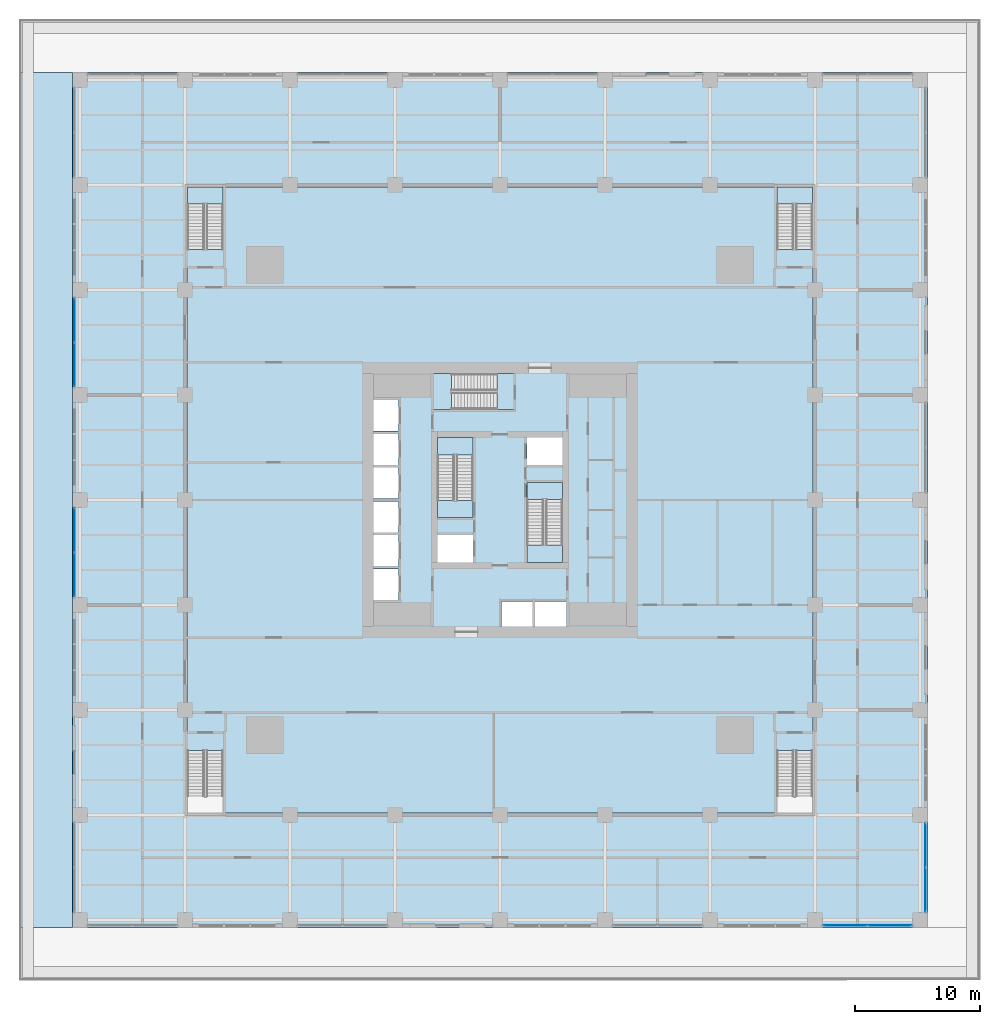
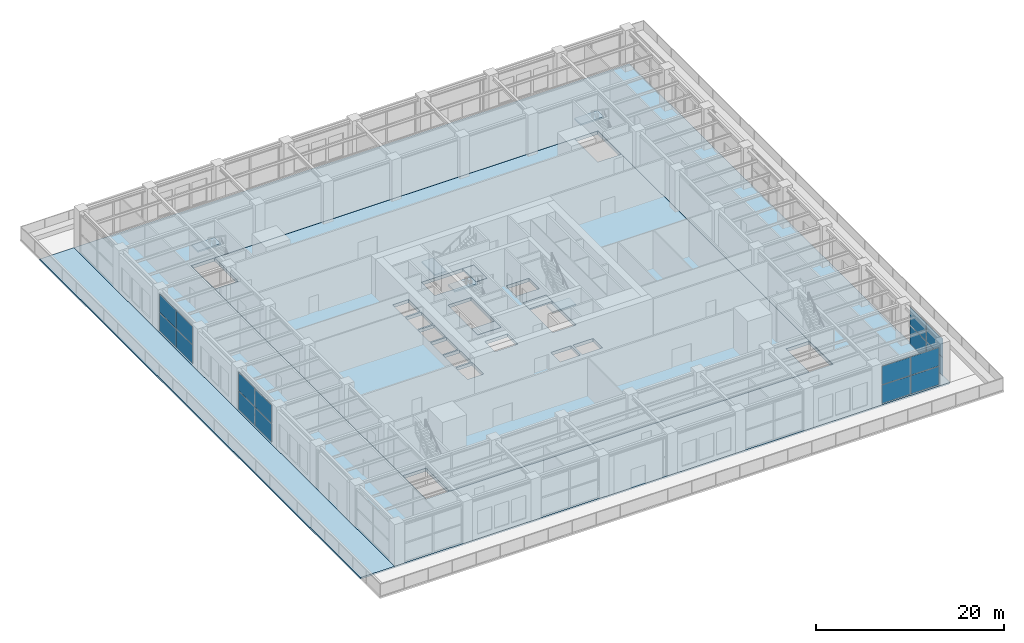
# One storey, part 16 of 36: 16 plates, 11 slabs, 9 elements without a shape of their own.
"""IFC4 building model written with IfcOpenShell, lengths in metres."""

from ifc_helpers import new_model, si_unit, direction, frame, origin, origin_2d, place, context, subcontext, project, spatial, polyline, rectangle, outline, extrude, material, layer, layer_set, type_object, element, aggregate, save


model = new_model("IFC4")

# Units and contexts
model_context = context("Model", 3, precision=1e-05, world=origin(), true_north=direction((0.0, 1.0)))
body_context = subcontext(model_context, "Body", "Model", "MODEL_VIEW")
ifc_project = project(units=[si_unit("LENGTHUNIT", "METRE"), si_unit("AREAUNIT", "SQUARE_METRE"), si_unit("VOLUMEUNIT", "CUBIC_METRE"), si_unit("PLANEANGLEUNIT", "RADIAN"), si_unit("MASSUNIT", "GRAM", prefix="KILO")], contexts=[model_context])

# Site, building, storey
site_placement = place(None, origin())
site = spatial("IfcSite", under=ifc_project, at=site_placement, CompositionType="ELEMENT")
building_placement = place(site_placement, origin())
building = spatial("IfcBuilding", under=site, at=building_placement, Name="Khepri Terraces", CompositionType="ELEMENT")
storey_placement = place(building_placement, frame((0.0, 0.0, 16.800048828125)))
storey = spatial("IfcBuildingStorey", under=building, at=storey_placement, Name="L03", CompositionType="ELEMENT", Elevation=16.800048828125)

# Curtain wall, plates
ifc_material_1 = material(Name="Anodised aluminium bronze curtain wall", Category="aluminium")
curtain_wall_type = type_object("IfcCurtainWallType", Name="CW-SYS5-BALLROOM", PredefinedType="NOTDEFINED", material=ifc_material_1)
curtain_wall_1_placement = place(storey_placement, origin())
curtain_wall_1 = element("IfcCurtainWall", 1, at=curtain_wall_1_placement, inside=storey, type_object=curtain_wall_type, Name="Curtain wall CW5 L03 S", PredefinedType="NOTDEFINED")
ifc_material_2 = material(Name="Clear glass", Category="glass")
ifc_layer_1 = layer(ifc_material_2, 0.035888671875, Name="Clear glass", Category="glass")
ifc_layer_set_1 = layer_set([ifc_layer_1], Name="Clear glass")
plate_type = type_object("IfcPlateType", Name="CW-PANEL-VISION-36", PredefinedType="CURTAIN_PANEL", material=ifc_layer_set_1)
plate_1_placement = place(storey_placement, frame((27.6201171875, -34.050048828125, 0.079833984375), z_axis=(0.0, 0.0, 1.0), x_axis=(1.0, 0.0, 0.0)))
plate_1 = element("IfcPlate", 2, at=plate_1_placement, type_object=plate_type, Name="CW5 panel 1.1", PredefinedType="CURTAIN_PANEL", context=body_context, shape_type="SweptSolid", body=[
    extrude(rectangle(XDim=3.47998046875, YDim=0.035888671875, at=origin_2d()), origin(), (0.0, 0.0, 1.0), 2.3701171875),
])
plate_2_placement = place(storey_placement, frame((27.6201171875, -34.050048828125, 2.52978515625), z_axis=(0.0, 0.0, 1.0), x_axis=(1.0, 0.0, 0.0)))
plate_2 = element("IfcPlate", 3, at=plate_2_placement, type_object=plate_type, Name="CW5 panel 1.2", PredefinedType="CURTAIN_PANEL", context=body_context, shape_type="SweptSolid", body=[
    extrude(rectangle(XDim=3.47998046875, YDim=0.035888671875, at=origin_2d()), origin(), (0.0, 0.0, 1.0), 2.3701171875),
])
plate_3_placement = place(storey_placement, frame((31.179931640625, -34.050048828125, 0.079833984375), z_axis=(0.0, 0.0, 1.0), x_axis=(1.0, 0.0, 0.0)))
plate_3 = element("IfcPlate", 4, at=plate_3_placement, type_object=plate_type, Name="CW5 panel 2.1", PredefinedType="CURTAIN_PANEL", context=body_context, shape_type="SweptSolid", body=[
    extrude(rectangle(XDim=3.47998046875, YDim=0.035888671875, at=origin_2d()), origin(), (0.0, 0.0, 1.0), 2.3701171875),
])
plate_4_placement = place(storey_placement, frame((31.179931640625, -34.050048828125, 2.52978515625), z_axis=(0.0, 0.0, 1.0), x_axis=(1.0, 0.0, 0.0)))
plate_4 = element("IfcPlate", 5, at=plate_4_placement, type_object=plate_type, Name="CW5 panel 2.2", PredefinedType="CURTAIN_PANEL", context=body_context, shape_type="SweptSolid", body=[
    extrude(rectangle(XDim=3.47998046875, YDim=0.035888671875, at=origin_2d()), origin(), (0.0, 0.0, 1.0), 2.3701171875),
])
aggregate(curtain_wall_1, [plate_1, plate_2, plate_3, plate_4])

curtain_wall_2_placement = place(storey_placement, origin())
curtain_wall_2 = element("IfcCurtainWall", 6, at=curtain_wall_2_placement, inside=storey, type_object=curtain_wall_type, Name="Curtain wall CW5 L03 E", PredefinedType="NOTDEFINED")
plate_5_placement = place(storey_placement, frame((34.050048828125, -31.179931640625, 0.079833984375), z_axis=(0.0, 0.0, 1.0), x_axis=(0.0, 1.0, 0.0)))
plate_5 = element("IfcPlate", 7, at=plate_5_placement, type_object=plate_type, Name="CW5 panel 1.1", PredefinedType="CURTAIN_PANEL", context=body_context, shape_type="SweptSolid", body=[
    extrude(rectangle(XDim=3.47998046875, YDim=0.035888671875, at=origin_2d()), origin(), (0.0, 0.0, 1.0), 2.3701171875),
])
plate_6_placement = place(storey_placement, frame((34.050048828125, -31.179931640625, 2.52978515625), z_axis=(0.0, 0.0, 1.0), x_axis=(0.0, 1.0, 0.0)))
plate_6 = element("IfcPlate", 8, at=plate_6_placement, type_object=plate_type, Name="CW5 panel 1.2", PredefinedType="CURTAIN_PANEL", context=body_context, shape_type="SweptSolid", body=[
    extrude(rectangle(XDim=3.47998046875, YDim=0.035888671875, at=origin_2d()), origin(), (0.0, 0.0, 1.0), 2.3701171875),
])
plate_7_placement = place(storey_placement, frame((34.050048828125, -27.6201171875, 0.079833984375), z_axis=(0.0, 0.0, 1.0), x_axis=(0.0, 1.0, 0.0)))
plate_7 = element("IfcPlate", 9, at=plate_7_placement, type_object=plate_type, Name="CW5 panel 2.1", PredefinedType="CURTAIN_PANEL", context=body_context, shape_type="SweptSolid", body=[
    extrude(rectangle(XDim=3.47998046875, YDim=0.035888671875, at=origin_2d()), origin(), (0.0, 0.0, 1.0), 2.3701171875),
])
plate_8_placement = place(storey_placement, frame((34.050048828125, -27.6201171875, 2.52978515625), z_axis=(0.0, 0.0, 1.0), x_axis=(0.0, 1.0, 0.0)))
plate_8 = element("IfcPlate", 10, at=plate_8_placement, type_object=plate_type, Name="CW5 panel 2.2", PredefinedType="CURTAIN_PANEL", context=body_context, shape_type="SweptSolid", body=[
    extrude(rectangle(XDim=3.47998046875, YDim=0.035888671875, at=origin_2d()), origin(), (0.0, 0.0, 1.0), 2.3701171875),
])
aggregate(curtain_wall_2, [plate_5, plate_6, plate_7, plate_8])

curtain_wall_3_placement = place(storey_placement, origin())
curtain_wall_3 = element("IfcCurtainWall", 11, at=curtain_wall_3_placement, inside=storey, type_object=curtain_wall_type, Name="Curtain wall CW5 L03 W", PredefinedType="NOTDEFINED")
plate_9_placement = place(storey_placement, frame((-34.050048828125, 14.3798828125, 0.079833984375), z_axis=(0.0, 0.0, 1.0), x_axis=(0.0, -1.0, 0.0)))
plate_9 = element("IfcPlate", 12, at=plate_9_placement, type_object=plate_type, Name="CW5 panel 1.1", PredefinedType="CURTAIN_PANEL", context=body_context, shape_type="SweptSolid", body=[
    extrude(rectangle(XDim=3.47998046875, YDim=0.035888671875, at=origin_2d()), origin(), (0.0, 0.0, 1.0), 2.3701171875),
])
plate_10_placement = place(storey_placement, frame((-34.050048828125, 14.3798828125, 2.52978515625), z_axis=(0.0, 0.0, 1.0), x_axis=(0.0, -1.0, 0.0)))
plate_10 = element("IfcPlate", 13, at=plate_10_placement, type_object=plate_type, Name="CW5 panel 1.2", PredefinedType="CURTAIN_PANEL", context=body_context, shape_type="SweptSolid", body=[
    extrude(rectangle(XDim=3.47998046875, YDim=0.035888671875, at=origin_2d()), origin(), (0.0, 0.0, 1.0), 2.3701171875),
])
plate_11_placement = place(storey_placement, frame((-34.050048828125, 10.820068359375, 0.079833984375), z_axis=(0.0, 0.0, 1.0), x_axis=(0.0, -1.0, 0.0)))
plate_11 = element("IfcPlate", 14, at=plate_11_placement, type_object=plate_type, Name="CW5 panel 2.1", PredefinedType="CURTAIN_PANEL", context=body_context, shape_type="SweptSolid", body=[
    extrude(rectangle(XDim=3.47998046875, YDim=0.035888671875, at=origin_2d()), origin(), (0.0, 0.0, 1.0), 2.3701171875),
])
plate_12_placement = place(storey_placement, frame((-34.050048828125, 10.820068359375, 2.52978515625), z_axis=(0.0, 0.0, 1.0), x_axis=(0.0, -1.0, 0.0)))
plate_12 = element("IfcPlate", 15, at=plate_12_placement, type_object=plate_type, Name="CW5 panel 2.2", PredefinedType="CURTAIN_PANEL", context=body_context, shape_type="SweptSolid", body=[
    extrude(rectangle(XDim=3.47998046875, YDim=0.035888671875, at=origin_2d()), origin(), (0.0, 0.0, 1.0), 2.3701171875),
])
aggregate(curtain_wall_3, [plate_9, plate_10, plate_11, plate_12])

curtain_wall_4_placement = place(storey_placement, origin())
curtain_wall_4 = element("IfcCurtainWall", 16, at=curtain_wall_4_placement, inside=storey, type_object=curtain_wall_type, Name="Curtain wall CW5 L03 W", PredefinedType="NOTDEFINED")
plate_13_placement = place(storey_placement, frame((-34.050048828125, -2.419921875, 0.079833984375), z_axis=(0.0, 0.0, 1.0), x_axis=(0.0, -1.0, 0.0)))
plate_13 = element("IfcPlate", 17, at=plate_13_placement, type_object=plate_type, Name="CW5 panel 1.1", PredefinedType="CURTAIN_PANEL", context=body_context, shape_type="SweptSolid", body=[
    extrude(rectangle(XDim=3.47998046875, YDim=0.035888671875, at=origin_2d()), origin(), (0.0, 0.0, 1.0), 2.3701171875),
])
plate_14_placement = place(storey_placement, frame((-34.050048828125, -2.419921875, 2.52978515625), z_axis=(0.0, 0.0, 1.0), x_axis=(0.0, -1.0, 0.0)))
plate_14 = element("IfcPlate", 18, at=plate_14_placement, type_object=plate_type, Name="CW5 panel 1.2", PredefinedType="CURTAIN_PANEL", context=body_context, shape_type="SweptSolid", body=[
    extrude(rectangle(XDim=3.47998046875, YDim=0.035888671875, at=origin_2d()), origin(), (0.0, 0.0, 1.0), 2.3701171875),
])
plate_15_placement = place(storey_placement, frame((-34.050048828125, -5.97998046875, 0.079833984375), z_axis=(0.0, 0.0, 1.0), x_axis=(0.0, -1.0, 0.0)))
plate_15 = element("IfcPlate", 19, at=plate_15_placement, type_object=plate_type, Name="CW5 panel 2.1", PredefinedType="CURTAIN_PANEL", context=body_context, shape_type="SweptSolid", body=[
    extrude(rectangle(XDim=3.47998046875, YDim=0.035888671875, at=origin_2d()), origin(), (0.0, 0.0, 1.0), 2.3701171875),
])
plate_16_placement = place(storey_placement, frame((-34.050048828125, -5.97998046875, 2.52978515625), z_axis=(0.0, 0.0, 1.0), x_axis=(0.0, -1.0, 0.0)))
plate_16 = element("IfcPlate", 20, at=plate_16_placement, type_object=plate_type, Name="CW5 panel 2.2", PredefinedType="CURTAIN_PANEL", context=body_context, shape_type="SweptSolid", body=[
    extrude(rectangle(XDim=3.47998046875, YDim=0.035888671875, at=origin_2d()), origin(), (0.0, 0.0, 1.0), 2.3701171875),
])
aggregate(curtain_wall_4, [plate_13, plate_14, plate_15, plate_16])

# Slabs
ifc_material_3 = material(Name="Concrete C35/45", Category="concrete")
ifc_layer_2 = layer(ifc_material_3, 0.199951171875, Name="Concrete C35/45", Category="concrete")
ifc_layer_set_2 = layer_set([ifc_layer_2], Name="Concrete C35/45")
slab_type_1 = type_object("IfcSlabType", Name="Composite floor slab 200", PredefinedType="FLOOR", material=ifc_layer_set_2)
slab_1_placement = place(storey_placement, frame((0.0, 0.0, -0.199951171875)))
element("IfcSlab", 21, at=slab_1_placement, inside=storey, type_object=slab_type_1, Name="Floor slab C01 L03", PredefinedType="FLOOR", context=body_context, shape_type="SweptSolid", body=[
    extrude(outline(polyline([(-34.199951171875, -34.199951171875), (-34.199951171875, 34.199951171875), (34.199951171875, 34.199951171875), (34.199951171875, -34.199951171875), (-34.199951171875, -34.199951171875)]), holes=[polyline([(25.050048828125, 25.050048828125), (-25.050048828125, 25.050048828125), (-25.050048828125, -25.050048828125), (25.050048828125, -25.050048828125), (25.050048828125, 25.050048828125)])]), origin(), (0.0, 0.0, 1.0), 0.199951171875),
])
ifc_layer_3 = layer(ifc_material_3, 0.199951171875, Name="Concrete C35/45", Category="concrete")
ifc_layer_set_3 = layer_set([ifc_layer_3], Name="Concrete C35/45")
slab_type_2 = type_object("IfcSlabType", Name="Composite terrace slab 200", PredefinedType="ROOF", material=ifc_layer_set_3)
slab_2_placement = place(storey_placement, frame((0.0, 0.0, -0.199951171875)))
element("IfcSlab", 22, at=slab_2_placement, inside=storey, type_object=slab_type_2, Name="Terrace slab L03-podium-3", PredefinedType="ROOF", context=body_context, shape_type="SweptSolid", body=[
    extrude(outline(polyline([(-38.39990234375, 34.199951171875), (-34.199951171875, 34.199951171875), (-34.199951171875, -34.199951171875), (-38.39990234375, -34.199951171875), (-38.39990234375, 34.199951171875)])), origin(), (0.0, 0.0, 1.0), 0.199951171875),
])
ifc_material_4 = material(Name="Concrete C40/50", Category="concrete")
ifc_layer_4 = layer(ifc_material_4, 0.419921875, Name="Concrete C40/50", Category="concrete")
ifc_layer_set_4 = layer_set([ifc_layer_4], Name="Concrete C40/50")
slab_type_3 = type_object("IfcSlabType", Name="Flat plate 420", PredefinedType="FLOOR", material=ifc_layer_set_4)
slab_3_placement = place(storey_placement, frame((0.0, 0.0, -0.420166015625)))
element("IfcSlab", 23, at=slab_3_placement, inside=storey, type_object=slab_type_3, Name="Floor slab F01 L03", PredefinedType="FLOOR", context=body_context, shape_type="SweptSolid", body=[
    extrude(outline(polyline([(-25.050048828125, 25.050048828125), (25.050048828125, 25.050048828125), (25.050048828125, -25.050048828125), (-25.050048828125, -25.050048828125), (-25.050048828125, 25.050048828125)]), holes=[polyline([(5.0, 5.0), (2.14990234375, 5.0), (2.14990234375, 2.800048828125), (5.0, 2.800048828125), (5.0, 5.0)]), polyline([(-2.14990234375, -5.0), (-2.14990234375, -2.800048828125), (-5.0, -2.800048828125), (-5.0, -5.0), (-2.14990234375, -5.0)]), polyline([(-10.10009765625, -8.0), (-8.10009765625, -8.0), (-8.10009765625, -5.5), (-10.10009765625, -5.5), (-10.10009765625, -8.0)]), polyline([(-10.10009765625, -2.800048828125), (-10.10009765625, -5.300048828125), (-8.10009765625, -5.300048828125), (-8.10009765625, -2.800048828125), (-10.10009765625, -2.800048828125)]), polyline([(-8.10009765625, -0.10009765625), (-10.10009765625, -0.10009765625), (-10.10009765625, -2.60009765625), (-8.10009765625, -2.60009765625), (-8.10009765625, -0.10009765625)]), polyline([(-8.10009765625, 0.10009765625), (-8.10009765625, 2.60009765625), (-10.10009765625, 2.60009765625), (-10.10009765625, 0.10009765625), (-8.10009765625, 0.10009765625)]), polyline([(-10.10009765625, 2.800048828125), (-8.10009765625, 2.800048828125), (-8.10009765625, 5.300048828125), (-10.10009765625, 5.300048828125), (-10.10009765625, 2.800048828125)]), polyline([(-10.10009765625, 8.0), (-10.10009765625, 5.5), (-8.10009765625, 5.5), (-8.10009765625, 8.0), (-10.10009765625, 8.0)]), polyline([(2.60009765625, -8.10009765625), (0.10009765625, -8.10009765625), (0.10009765625, -10.10009765625), (2.60009765625, -10.10009765625), (2.60009765625, -8.10009765625)]), polyline([(5.300048828125, -10.10009765625), (5.300048828125, -8.10009765625), (2.800048828125, -8.10009765625), (2.800048828125, -10.10009765625), (5.300048828125, -10.10009765625)]), polyline([(-5.0, -1.39990234375), (-2.14990234375, -1.39990234375), (-2.14990234375, 5.0), (-5.0, 5.0), (-5.0, -1.39990234375)]), polyline([(5.0, -5.0), (5.0, 1.39990234375), (2.14990234375, 1.39990234375), (2.14990234375, -5.0), (5.0, -5.0)]), polyline([(-5.300048828125, 10.10009765625), (-5.300048828125, 7.25), (1.10009765625, 7.25), (1.10009765625, 10.10009765625), (-5.300048828125, 10.10009765625)]), polyline([(22.14990234375, 25.0400390625), (22.14990234375, 20.050537109375), (25.0, 20.050537109375), (25.0, 25.0400390625), (22.14990234375, 25.0400390625)]), polyline([(-22.14990234375, 25.0400390625), (-25.0, 25.0400390625), (-25.0, 20.050537109375), (-22.14990234375, 20.050537109375), (-22.14990234375, 25.0400390625)]), polyline([(22.14990234375, -20.050537109375), (22.14990234375, -25.0400390625), (25.0, -25.0400390625), (25.0, -20.050537109375), (22.14990234375, -20.050537109375)]), polyline([(-22.14990234375, -20.050537109375), (-25.0, -20.050537109375), (-25.0, -25.0400390625), (-22.14990234375, -25.0400390625), (-22.14990234375, -20.050537109375)])]), origin(), (0.0, 0.0, 1.0), 0.420166015625),
])

# Stair, slab
stair_type_1 = type_object("IfcStairType", Name="ST-POD", PredefinedType="HALF_TURN_STAIR", material=ifc_material_4)
stair_1_placement = place(storey_placement, origin())
stair_1 = element("IfcStair", 24, at=stair_1_placement, inside=storey, type_object=stair_type_1, Name="L03 Exit Stair PS-1", PredefinedType="HALF_TURN_STAIR")
ifc_layer_5 = layer(ifc_material_4, 0.199951171875, Name="Concrete C40/50", Category="concrete")
ifc_layer_set_5 = layer_set([ifc_layer_5], Name="Concrete C40/50")
slab_type_4 = type_object("IfcSlabType", Name="SL-POD", PredefinedType="LANDING", material=ifc_layer_set_5)
slab_4_placement = place(storey_placement, frame((0.0, 0.0, 2.5)))
slab_4 = element("IfcSlab", 25, at=slab_4_placement, type_object=slab_type_4, Name="PS-1 landing 1", PredefinedType="LANDING", context=body_context, shape_type="SweptSolid", body=[
    extrude(outline(polyline([(25.0, 23.68994140625), (25.0, 25.0400390625), (22.14990234375, 25.0400390625), (22.14990234375, 23.68994140625), (25.0, 23.68994140625)])), origin(), (0.0, 0.0, 1.0), 0.199951171875),
])
aggregate(stair_1, [slab_4])

stair_2_placement = place(storey_placement, origin())
stair_2 = element("IfcStair", 26, at=stair_2_placement, inside=storey, type_object=stair_type_1, Name="L03 Exit Stair PS-2", PredefinedType="HALF_TURN_STAIR")
slab_5_placement = place(storey_placement, frame((0.0, 0.0, 2.5)))
slab_5 = element("IfcSlab", 27, at=slab_5_placement, type_object=slab_type_4, Name="PS-2 landing 1", PredefinedType="LANDING", context=body_context, shape_type="SweptSolid", body=[
    extrude(outline(polyline([(-22.14990234375, 23.68994140625), (-22.14990234375, 25.0400390625), (-25.0, 25.0400390625), (-25.0, 23.68994140625), (-22.14990234375, 23.68994140625)])), origin(), (0.0, 0.0, 1.0), 0.199951171875),
])
aggregate(stair_2, [slab_5])

# Stair, slabs
stair_type_2 = type_object("IfcStairType", Name="STAIR-RC-30R", PredefinedType="HALF_TURN_STAIR", material=ifc_material_4)
stair_3_placement = place(storey_placement, origin())
stair_3 = element("IfcStair", 28, at=stair_3_placement, inside=storey, type_object=stair_type_2, Name="L03 Exit Stair ST-1", PredefinedType="HALF_TURN_STAIR")
ifc_layer_6 = layer(ifc_material_4, 0.199951171875, Name="Concrete C40/50", Category="concrete")
ifc_layer_set_6 = layer_set([ifc_layer_6], Name="Concrete C40/50")
slab_type_5 = type_object("IfcSlabType", Name="SLB-CORE-LANDING", PredefinedType="LANDING", material=ifc_layer_set_6)
slab_6_placement = place(storey_placement, frame((0.0, 0.0, -0.199951171875)))
slab_6 = element("IfcSlab", 29, at=slab_6_placement, type_object=slab_type_5, Name="ST-1 landing 1", PredefinedType="LANDING", context=body_context, shape_type="SweptSolid", body=[
    extrude(outline(polyline([(-2.14990234375, -1.39990234375), (-2.14990234375, -0.050048828125), (-5.0, -0.050048828125), (-5.0, -1.39990234375), (-2.14990234375, -1.39990234375)])), origin(), (0.0, 0.0, 1.0), 0.199951171875),
])
slab_7_placement = place(storey_placement, frame((0.0, 0.0, 2.5)))
slab_7 = element("IfcSlab", 30, at=slab_7_placement, type_object=slab_type_5, Name="ST-1 landing 2", PredefinedType="LANDING", context=body_context, shape_type="SweptSolid", body=[
    extrude(outline(polyline([(-2.14990234375, 3.590087890625), (-2.14990234375, 5.0), (-5.0, 5.0), (-5.0, 3.590087890625), (-2.14990234375, 3.590087890625)])), origin(), (0.0, 0.0, 1.0), 0.199951171875),
])
aggregate(stair_3, [slab_6, slab_7])

stair_4_placement = place(storey_placement, origin())
stair_4 = element("IfcStair", 31, at=stair_4_placement, inside=storey, type_object=stair_type_2, Name="L03 Exit Stair ST-2", PredefinedType="HALF_TURN_STAIR")
slab_8_placement = place(storey_placement, frame((0.0, 0.0, -0.199951171875)))
slab_8 = element("IfcSlab", 32, at=slab_8_placement, type_object=slab_type_5, Name="ST-2 landing 1", PredefinedType="LANDING", context=body_context, shape_type="SweptSolid", body=[
    extrude(outline(polyline([(2.14990234375, 1.39990234375), (2.14990234375, 0.050048828125), (5.0, 0.050048828125), (5.0, 1.39990234375), (2.14990234375, 1.39990234375)])), origin(), (0.0, 0.0, 1.0), 0.199951171875),
])
slab_9_placement = place(storey_placement, frame((0.0, 0.0, 2.5)))
slab_9 = element("IfcSlab", 33, at=slab_9_placement, type_object=slab_type_5, Name="ST-2 landing 2", PredefinedType="LANDING", context=body_context, shape_type="SweptSolid", body=[
    extrude(outline(polyline([(2.14990234375, -3.590087890625), (2.14990234375, -5.0), (5.0, -5.0), (5.0, -3.590087890625), (2.14990234375, -3.590087890625)])), origin(), (0.0, 0.0, 1.0), 0.199951171875),
])
aggregate(stair_4, [slab_8, slab_9])

stair_5_placement = place(storey_placement, origin())
stair_5 = element("IfcStair", 34, at=stair_5_placement, inside=storey, type_object=stair_type_2, Name="L03 Exit Stair ST-3", PredefinedType="HALF_TURN_STAIR")
slab_10_placement = place(storey_placement, frame((0.0, 0.0, -0.199951171875)))
slab_10 = element("IfcSlab", 35, at=slab_10_placement, type_object=slab_type_5, Name="ST-3 landing 1", PredefinedType="LANDING", context=body_context, shape_type="SweptSolid", body=[
    extrude(outline(polyline([(1.10009765625, 10.10009765625), (-0.25, 10.10009765625), (-0.25, 7.25), (1.10009765625, 7.25), (1.10009765625, 10.10009765625)])), origin(), (0.0, 0.0, 1.0), 0.199951171875),
])
slab_11_placement = place(storey_placement, frame((0.0, 0.0, 2.5)))
slab_11 = element("IfcSlab", 36, at=slab_11_placement, type_object=slab_type_5, Name="ST-3 landing 2", PredefinedType="LANDING", context=body_context, shape_type="SweptSolid", body=[
    extrude(outline(polyline([(-3.889892578125, 10.10009765625), (-5.300048828125, 10.10009765625), (-5.300048828125, 7.25), (-3.889892578125, 7.25), (-3.889892578125, 10.10009765625)])), origin(), (0.0, 0.0, 1.0), 0.199951171875),
])
aggregate(stair_5, [slab_10, slab_11])

save(model, "model.ifc")
